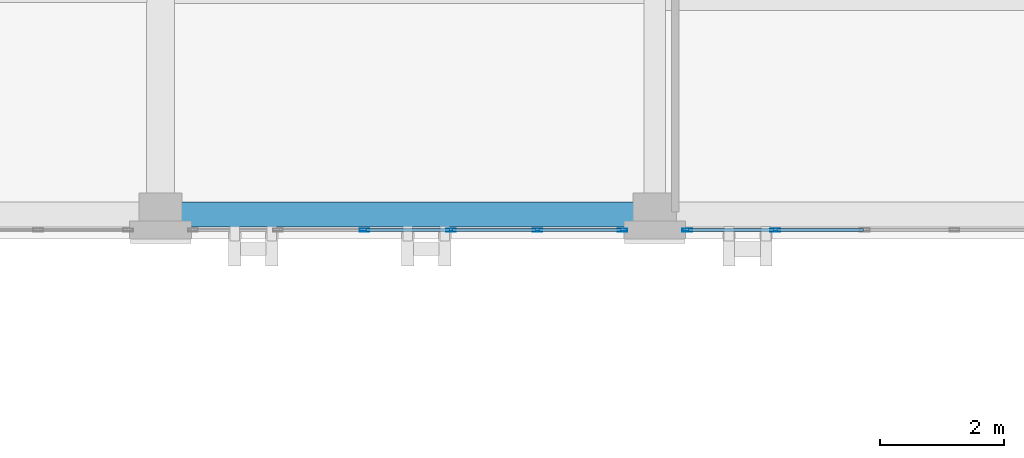
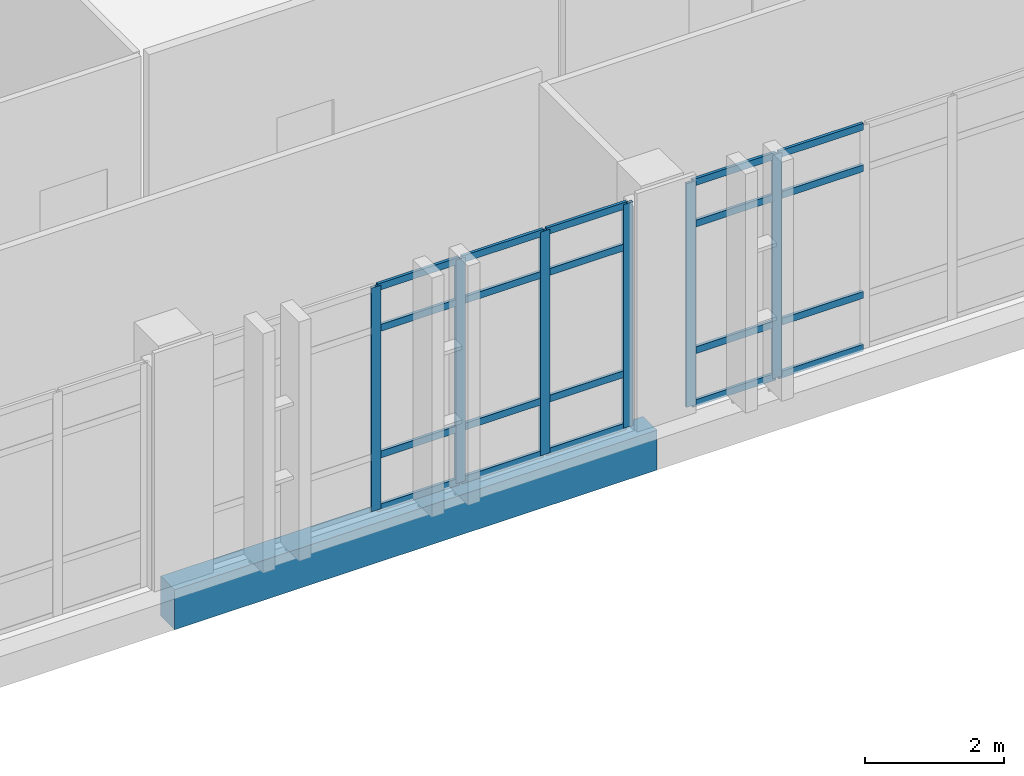
# One storey, part 82 of 165: 26 members, 1 beam, 2 elements without a shape of their own.
"""IFC4 building model written with IfcOpenShell, lengths in metres."""

from ifc_helpers import new_model, si_unit, direction, frame, origin, origin_2d, place, context, subcontext, project, spatial, rectangle, hollow_rectangle, extrude, material, layer, layer_set, material_profile, profile_set, type_object, element, aggregate, save


model = new_model("IFC4")

# Units and contexts
model_context = context("Model", 3, precision=1e-05, world=origin(), true_north=direction((0.0, 1.0)))
body_context = subcontext(model_context, "Body", "Model", "MODEL_VIEW")
ifc_project = project(units=[si_unit("LENGTHUNIT", "METRE"), si_unit("AREAUNIT", "SQUARE_METRE"), si_unit("VOLUMEUNIT", "CUBIC_METRE"), si_unit("PLANEANGLEUNIT", "RADIAN"), si_unit("MASSUNIT", "GRAM", prefix="KILO")], contexts=[model_context])

# Site, building, storey
site_placement = place(None, origin())
site = spatial("IfcSite", under=ifc_project, at=site_placement, CompositionType="ELEMENT")
building_placement = place(site_placement, origin())
building = spatial("IfcBuilding", under=site, at=building_placement, Name="Qalavern Law Courts", CompositionType="ELEMENT")
storey_placement = place(building_placement, frame((0.0, 0.0, 14.39990234375)))
storey = spatial("IfcBuildingStorey", under=building, at=storey_placement, Name="L03", CompositionType="ELEMENT", Elevation=14.39990234375)

# Curtain wall, members
ifc_material_1 = material(Name="Anodised aluminium and insulated glazing", Category="aluminium")
ifc_layer = layer(ifc_material_1, 0.166015625)
ifc_layer_set = layer_set([ifc_layer], Name="Anodised aluminium and insulated glazing")
curtain_wall_type = type_object("IfcCurtainWallType", Name="ENV-CW-LIB", PredefinedType="USERDEFINED", material=ifc_layer_set)
curtain_wall_1_placement = place(storey_placement, origin())
curtain_wall_1 = element("IfcCurtainWall", 1, at=curtain_wall_1_placement, inside=storey, type_object=curtain_wall_type, Name="V5 unitised curtain wall L03 south 3", ObjectType="UNITISED CURTAIN WALL", PredefinedType="USERDEFINED")
ifc_material_2 = material(Name="Anodised aluminium", Category="aluminium")
ifc_material_profile_1 = material_profile(ifc_material_2, hollow_rectangle(XDim=0.048095703125, YDim=0.159912109375, WallThickness=0.00390625, at=origin_2d()), Name="ALU MULLION 48x160")
ifc_profile_set_1 = profile_set([ifc_material_profile_1], Name="Anodised aluminium")
member_type_1 = type_object("IfcMemberType", Name="ENV-CWM-48x160", PredefinedType="MULLION", material=ifc_profile_set_1)
member_1_placement = place(storey_placement, frame((40.10009765625, 96.347412109375, 0.0), z_axis=(0.0, 0.0, 1.0), x_axis=(0.0, 1.0, 0.0)))
member_1 = element("IfcMember", 2, at=member_1_placement, type_object=member_type_1, Name="CW-05 mullion 3", PredefinedType="MULLION", context=body_context, shape_type="SweptSolid", body=[
    extrude(hollow_rectangle(XDim=0.048095703125, YDim=0.159912109375, WallThickness=0.00390625, at=origin_2d()), origin(), (0.0, 0.0, 1.0), 3.920166015625),
])
member_2_placement = place(storey_placement, frame((41.5, 96.347412109375, 0.0), z_axis=(0.0, 0.0, 1.0), x_axis=(0.0, 1.0, 0.0)))
member_2 = element("IfcMember", 3, at=member_2_placement, type_object=member_type_1, Name="CW-05 mullion 4", PredefinedType="MULLION", context=body_context, shape_type="SweptSolid", body=[
    extrude(hollow_rectangle(XDim=0.048095703125, YDim=0.159912109375, WallThickness=0.00390625, at=origin_2d()), origin(), (0.0, 0.0, 1.0), 3.920166015625),
])
member_3_placement = place(storey_placement, frame((42.89990234375, 96.347412109375, 0.0), z_axis=(0.0, 0.0, 1.0), x_axis=(0.0, 1.0, 0.0)))
member_3 = element("IfcMember", 4, at=member_3_placement, type_object=member_type_1, Name="CW-05 mullion 5", PredefinedType="MULLION", context=body_context, shape_type="SweptSolid", body=[
    extrude(hollow_rectangle(XDim=0.048095703125, YDim=0.159912109375, WallThickness=0.00390625, at=origin_2d()), origin(), (0.0, 0.0, 1.0), 3.920166015625),
])
member_4_placement = place(storey_placement, frame((44.27587890625, 96.347412109375, 0.0), z_axis=(0.0, 0.0, 1.0), x_axis=(0.0, 1.0, 0.0)))
member_4 = element("IfcMember", 5, at=member_4_placement, type_object=member_type_1, Name="CW-05 mullion 6", PredefinedType="MULLION", context=body_context, shape_type="SweptSolid", body=[
    extrude(hollow_rectangle(XDim=0.048095703125, YDim=0.159912109375, WallThickness=0.00390625, at=origin_2d()), origin(), (0.0, 0.0, 1.0), 3.920166015625),
])

curtain_wall_2_placement = place(storey_placement, origin())
curtain_wall_2 = element("IfcCurtainWall", 6, at=curtain_wall_2_placement, inside=storey, type_object=curtain_wall_type, Name="V5 unitised curtain wall L03 south 4", ObjectType="UNITISED CURTAIN WALL", PredefinedType="USERDEFINED")
member_5_placement = place(storey_placement, frame((45.323974609375, 96.347412109375, 0.0), z_axis=(0.0, 0.0, 1.0), x_axis=(0.0, 1.0, 0.0)))
member_5 = element("IfcMember", 7, at=member_5_placement, type_object=member_type_1, Name="CW-05 mullion 1", PredefinedType="MULLION", context=body_context, shape_type="SweptSolid", body=[
    extrude(hollow_rectangle(XDim=0.048095703125, YDim=0.159912109375, WallThickness=0.00390625, at=origin_2d()), origin(), (0.0, 0.0, 1.0), 3.920166015625),
])
member_6_placement = place(storey_placement, frame((46.75, 96.347412109375, 0.0), z_axis=(0.0, 0.0, 1.0), x_axis=(0.0, 1.0, 0.0)))
member_6 = element("IfcMember", 8, at=member_6_placement, type_object=member_type_1, Name="CW-05 mullion 2", PredefinedType="MULLION", context=body_context, shape_type="SweptSolid", body=[
    extrude(hollow_rectangle(XDim=0.048095703125, YDim=0.159912109375, WallThickness=0.00390625, at=origin_2d()), origin(), (0.0, 0.0, 1.0), 3.920166015625),
])

# Member
ifc_material_profile_2 = material_profile(ifc_material_2, hollow_rectangle(XDim=0.048095703125, YDim=0.1201171875, WallThickness=0.00390625, at=origin_2d()), Name="ALU TRANSOM 48x120")
ifc_profile_set_2 = profile_set([ifc_material_profile_2], Name="Anodised aluminium")
member_type_2 = type_object("IfcMemberType", Name="ENV-CWT-48x120", PredefinedType="USERDEFINED", material=ifc_profile_set_2)
member_7_placement = place(storey_placement, frame((40.1240234375, 96.347412109375, 0.024169921875), z_axis=(1.0, 0.0, 0.0), x_axis=(0.0, 1.0, 0.0)))
member_7 = element("IfcMember", 9, at=member_7_placement, type_object=member_type_2, Name="CW-05 transom 3.1", ObjectType="TRANSOM", PredefinedType="USERDEFINED", context=body_context, shape_type="SweptSolid", body=[
    extrude(hollow_rectangle(XDim=0.048095703125, YDim=0.1201171875, WallThickness=0.00390625, at=origin_2d()), origin(), (0.0, 0.0, 1.0), 1.35205078125),
])

member_8_placement = place(storey_placement, frame((40.1240234375, 96.347412109375, 0.9501953125), z_axis=(1.0, 0.0, 0.0), x_axis=(0.0, 1.0, 0.0)))
member_8 = element("IfcMember", 10, at=member_8_placement, type_object=member_type_2, Name="CW-05 transom 3.2", ObjectType="TRANSOM", PredefinedType="USERDEFINED", context=body_context, shape_type="SweptSolid", body=[
    extrude(hollow_rectangle(XDim=0.048095703125, YDim=0.1201171875, WallThickness=0.00390625, at=origin_2d()), origin(), (0.0, 0.0, 1.0), 1.35205078125),
])

member_9_placement = place(storey_placement, frame((40.1240234375, 96.347412109375, 3.170166015625), z_axis=(1.0, 0.0, 0.0), x_axis=(0.0, 1.0, 0.0)))
member_9 = element("IfcMember", 11, at=member_9_placement, type_object=member_type_2, Name="CW-05 transom 3.3", ObjectType="TRANSOM", PredefinedType="USERDEFINED", context=body_context, shape_type="SweptSolid", body=[
    extrude(hollow_rectangle(XDim=0.048095703125, YDim=0.1201171875, WallThickness=0.00390625, at=origin_2d()), origin(), (0.0, 0.0, 1.0), 1.35205078125),
])

member_10_placement = place(storey_placement, frame((40.1240234375, 96.347412109375, 3.89599609375), z_axis=(1.0, 0.0, 0.0), x_axis=(0.0, 1.0, 0.0)))
member_10 = element("IfcMember", 12, at=member_10_placement, type_object=member_type_2, Name="CW-05 transom 3.4", ObjectType="TRANSOM", PredefinedType="USERDEFINED", context=body_context, shape_type="SweptSolid", body=[
    extrude(hollow_rectangle(XDim=0.048095703125, YDim=0.1201171875, WallThickness=0.00390625, at=origin_2d()), origin(), (0.0, 0.0, 1.0), 1.35205078125),
])

member_11_placement = place(storey_placement, frame((41.52392578125, 96.347412109375, 0.024169921875), z_axis=(1.0, 0.0, 0.0), x_axis=(0.0, 1.0, 0.0)))
member_11 = element("IfcMember", 13, at=member_11_placement, type_object=member_type_2, Name="CW-05 transom 4.1", ObjectType="TRANSOM", PredefinedType="USERDEFINED", context=body_context, shape_type="SweptSolid", body=[
    extrude(hollow_rectangle(XDim=0.048095703125, YDim=0.1201171875, WallThickness=0.00390625, at=origin_2d()), origin(), (0.0, 0.0, 1.0), 1.35205078125),
])

member_12_placement = place(storey_placement, frame((41.52392578125, 96.347412109375, 0.9501953125), z_axis=(1.0, 0.0, 0.0), x_axis=(0.0, 1.0, 0.0)))
member_12 = element("IfcMember", 14, at=member_12_placement, type_object=member_type_2, Name="CW-05 transom 4.2", ObjectType="TRANSOM", PredefinedType="USERDEFINED", context=body_context, shape_type="SweptSolid", body=[
    extrude(hollow_rectangle(XDim=0.048095703125, YDim=0.1201171875, WallThickness=0.00390625, at=origin_2d()), origin(), (0.0, 0.0, 1.0), 1.35205078125),
])

member_13_placement = place(storey_placement, frame((41.52392578125, 96.347412109375, 3.170166015625), z_axis=(1.0, 0.0, 0.0), x_axis=(0.0, 1.0, 0.0)))
member_13 = element("IfcMember", 15, at=member_13_placement, type_object=member_type_2, Name="CW-05 transom 4.3", ObjectType="TRANSOM", PredefinedType="USERDEFINED", context=body_context, shape_type="SweptSolid", body=[
    extrude(hollow_rectangle(XDim=0.048095703125, YDim=0.1201171875, WallThickness=0.00390625, at=origin_2d()), origin(), (0.0, 0.0, 1.0), 1.35205078125),
])

member_14_placement = place(storey_placement, frame((41.52392578125, 96.347412109375, 3.89599609375), z_axis=(1.0, 0.0, 0.0), x_axis=(0.0, 1.0, 0.0)))
member_14 = element("IfcMember", 16, at=member_14_placement, type_object=member_type_2, Name="CW-05 transom 4.4", ObjectType="TRANSOM", PredefinedType="USERDEFINED", context=body_context, shape_type="SweptSolid", body=[
    extrude(hollow_rectangle(XDim=0.048095703125, YDim=0.1201171875, WallThickness=0.00390625, at=origin_2d()), origin(), (0.0, 0.0, 1.0), 1.35205078125),
])

member_15_placement = place(storey_placement, frame((42.924072265625, 96.347412109375, 0.024169921875), z_axis=(1.0, 0.0, 0.0), x_axis=(0.0, 1.0, 0.0)))
member_15 = element("IfcMember", 17, at=member_15_placement, type_object=member_type_2, Name="CW-05 transom 5.1", ObjectType="TRANSOM", PredefinedType="USERDEFINED", context=body_context, shape_type="SweptSolid", body=[
    extrude(hollow_rectangle(XDim=0.048095703125, YDim=0.1201171875, WallThickness=0.00390625, at=origin_2d()), origin(), (0.0, 0.0, 1.0), 1.327880859375),
])

member_16_placement = place(storey_placement, frame((42.924072265625, 96.347412109375, 0.9501953125), z_axis=(1.0, 0.0, 0.0), x_axis=(0.0, 1.0, 0.0)))
member_16 = element("IfcMember", 18, at=member_16_placement, type_object=member_type_2, Name="CW-05 transom 5.2", ObjectType="TRANSOM", PredefinedType="USERDEFINED", context=body_context, shape_type="SweptSolid", body=[
    extrude(hollow_rectangle(XDim=0.048095703125, YDim=0.1201171875, WallThickness=0.00390625, at=origin_2d()), origin(), (0.0, 0.0, 1.0), 1.327880859375),
])

member_17_placement = place(storey_placement, frame((42.924072265625, 96.347412109375, 3.170166015625), z_axis=(1.0, 0.0, 0.0), x_axis=(0.0, 1.0, 0.0)))
member_17 = element("IfcMember", 19, at=member_17_placement, type_object=member_type_2, Name="CW-05 transom 5.3", ObjectType="TRANSOM", PredefinedType="USERDEFINED", context=body_context, shape_type="SweptSolid", body=[
    extrude(hollow_rectangle(XDim=0.048095703125, YDim=0.1201171875, WallThickness=0.00390625, at=origin_2d()), origin(), (0.0, 0.0, 1.0), 1.327880859375),
])

member_18_placement = place(storey_placement, frame((42.924072265625, 96.347412109375, 3.89599609375), z_axis=(1.0, 0.0, 0.0), x_axis=(0.0, 1.0, 0.0)))
member_18 = element("IfcMember", 20, at=member_18_placement, type_object=member_type_2, Name="CW-05 transom 5.4", ObjectType="TRANSOM", PredefinedType="USERDEFINED", context=body_context, shape_type="SweptSolid", body=[
    extrude(hollow_rectangle(XDim=0.048095703125, YDim=0.1201171875, WallThickness=0.00390625, at=origin_2d()), origin(), (0.0, 0.0, 1.0), 1.327880859375),
])

aggregate(curtain_wall_1, [member_1, member_2, member_3, member_4, member_7, member_8, member_9, member_10, member_11, member_12, member_13, member_14, member_15, member_16, member_17, member_18])

member_19_placement = place(storey_placement, frame((45.347900390625, 96.347412109375, 0.024169921875), z_axis=(1.0, 0.0, 0.0), x_axis=(0.0, 1.0, 0.0)))
member_19 = element("IfcMember", 21, at=member_19_placement, type_object=member_type_2, Name="CW-05 transom 1.1", ObjectType="TRANSOM", PredefinedType="USERDEFINED", context=body_context, shape_type="SweptSolid", body=[
    extrude(hollow_rectangle(XDim=0.048095703125, YDim=0.1201171875, WallThickness=0.00390625, at=origin_2d()), origin(), (0.0, 0.0, 1.0), 1.378173828125),
])

member_20_placement = place(storey_placement, frame((45.347900390625, 96.347412109375, 0.9501953125), z_axis=(1.0, 0.0, 0.0), x_axis=(0.0, 1.0, 0.0)))
member_20 = element("IfcMember", 22, at=member_20_placement, type_object=member_type_2, Name="CW-05 transom 1.2", ObjectType="TRANSOM", PredefinedType="USERDEFINED", context=body_context, shape_type="SweptSolid", body=[
    extrude(hollow_rectangle(XDim=0.048095703125, YDim=0.1201171875, WallThickness=0.00390625, at=origin_2d()), origin(), (0.0, 0.0, 1.0), 1.378173828125),
])

member_21_placement = place(storey_placement, frame((45.347900390625, 96.347412109375, 3.170166015625), z_axis=(1.0, 0.0, 0.0), x_axis=(0.0, 1.0, 0.0)))
member_21 = element("IfcMember", 23, at=member_21_placement, type_object=member_type_2, Name="CW-05 transom 1.3", ObjectType="TRANSOM", PredefinedType="USERDEFINED", context=body_context, shape_type="SweptSolid", body=[
    extrude(hollow_rectangle(XDim=0.048095703125, YDim=0.1201171875, WallThickness=0.00390625, at=origin_2d()), origin(), (0.0, 0.0, 1.0), 1.378173828125),
])

member_22_placement = place(storey_placement, frame((45.347900390625, 96.347412109375, 3.89599609375), z_axis=(1.0, 0.0, 0.0), x_axis=(0.0, 1.0, 0.0)))
member_22 = element("IfcMember", 24, at=member_22_placement, type_object=member_type_2, Name="CW-05 transom 1.4", ObjectType="TRANSOM", PredefinedType="USERDEFINED", context=body_context, shape_type="SweptSolid", body=[
    extrude(hollow_rectangle(XDim=0.048095703125, YDim=0.1201171875, WallThickness=0.00390625, at=origin_2d()), origin(), (0.0, 0.0, 1.0), 1.378173828125),
])

member_23_placement = place(storey_placement, frame((46.77392578125, 96.347412109375, 0.024169921875), z_axis=(1.0, 0.0, 0.0), x_axis=(0.0, 1.0, 0.0)))
member_23 = element("IfcMember", 25, at=member_23_placement, type_object=member_type_2, Name="CW-05 transom 2.1", ObjectType="TRANSOM", PredefinedType="USERDEFINED", context=body_context, shape_type="SweptSolid", body=[
    extrude(hollow_rectangle(XDim=0.048095703125, YDim=0.1201171875, WallThickness=0.00390625, at=origin_2d()), origin(), (0.0, 0.0, 1.0), 1.402099609375),
])

member_24_placement = place(storey_placement, frame((46.77392578125, 96.347412109375, 0.9501953125), z_axis=(1.0, 0.0, 0.0), x_axis=(0.0, 1.0, 0.0)))
member_24 = element("IfcMember", 26, at=member_24_placement, type_object=member_type_2, Name="CW-05 transom 2.2", ObjectType="TRANSOM", PredefinedType="USERDEFINED", context=body_context, shape_type="SweptSolid", body=[
    extrude(hollow_rectangle(XDim=0.048095703125, YDim=0.1201171875, WallThickness=0.00390625, at=origin_2d()), origin(), (0.0, 0.0, 1.0), 1.402099609375),
])

member_25_placement = place(storey_placement, frame((46.77392578125, 96.347412109375, 3.170166015625), z_axis=(1.0, 0.0, 0.0), x_axis=(0.0, 1.0, 0.0)))
member_25 = element("IfcMember", 27, at=member_25_placement, type_object=member_type_2, Name="CW-05 transom 2.3", ObjectType="TRANSOM", PredefinedType="USERDEFINED", context=body_context, shape_type="SweptSolid", body=[
    extrude(hollow_rectangle(XDim=0.048095703125, YDim=0.1201171875, WallThickness=0.00390625, at=origin_2d()), origin(), (0.0, 0.0, 1.0), 1.402099609375),
])

member_26_placement = place(storey_placement, frame((46.77392578125, 96.347412109375, 3.89599609375), z_axis=(1.0, 0.0, 0.0), x_axis=(0.0, 1.0, 0.0)))
member_26 = element("IfcMember", 28, at=member_26_placement, type_object=member_type_2, Name="CW-05 transom 2.4", ObjectType="TRANSOM", PredefinedType="USERDEFINED", context=body_context, shape_type="SweptSolid", body=[
    extrude(hollow_rectangle(XDim=0.048095703125, YDim=0.1201171875, WallThickness=0.00390625, at=origin_2d()), origin(), (0.0, 0.0, 1.0), 1.402099609375),
])

aggregate(curtain_wall_2, [member_5, member_6, member_19, member_20, member_21, member_22, member_23, member_24, member_25, member_26])

# Beam
ifc_material_3 = material(Name="Concrete C40/50", Category="concrete")
ifc_material_profile_3 = material_profile(ifc_material_3, rectangle(XDim=0.39990234375, YDim=0.699951171875, at=origin_2d()), Name="RC 400x700")
ifc_profile_set_3 = profile_set([ifc_material_profile_3], Name="Concrete C40/50")
beam_type = type_object("IfcBeamType", Name="STR-SP-RC400x700", PredefinedType="SPANDREL", material=ifc_profile_set_3)
beam_placement = place(storey_placement, frame((36.800048828125, 96.60009765625, -0.635009765625), z_axis=(1.0, 0.0, 0.0), x_axis=(0.0, 1.0, 0.0)))
element("IfcBeam", 29, at=beam_placement, inside=storey, type_object=beam_type, Name="V5 X-beam 1-5 L03", PredefinedType="SPANDREL", context=body_context, shape_type="SweptSolid", body=[
    extrude(rectangle(XDim=0.39990234375, YDim=0.699951171875, at=origin_2d()), origin(), (0.0, 0.0, 1.0), 8.0),
])

save(model, "model.ifc")
